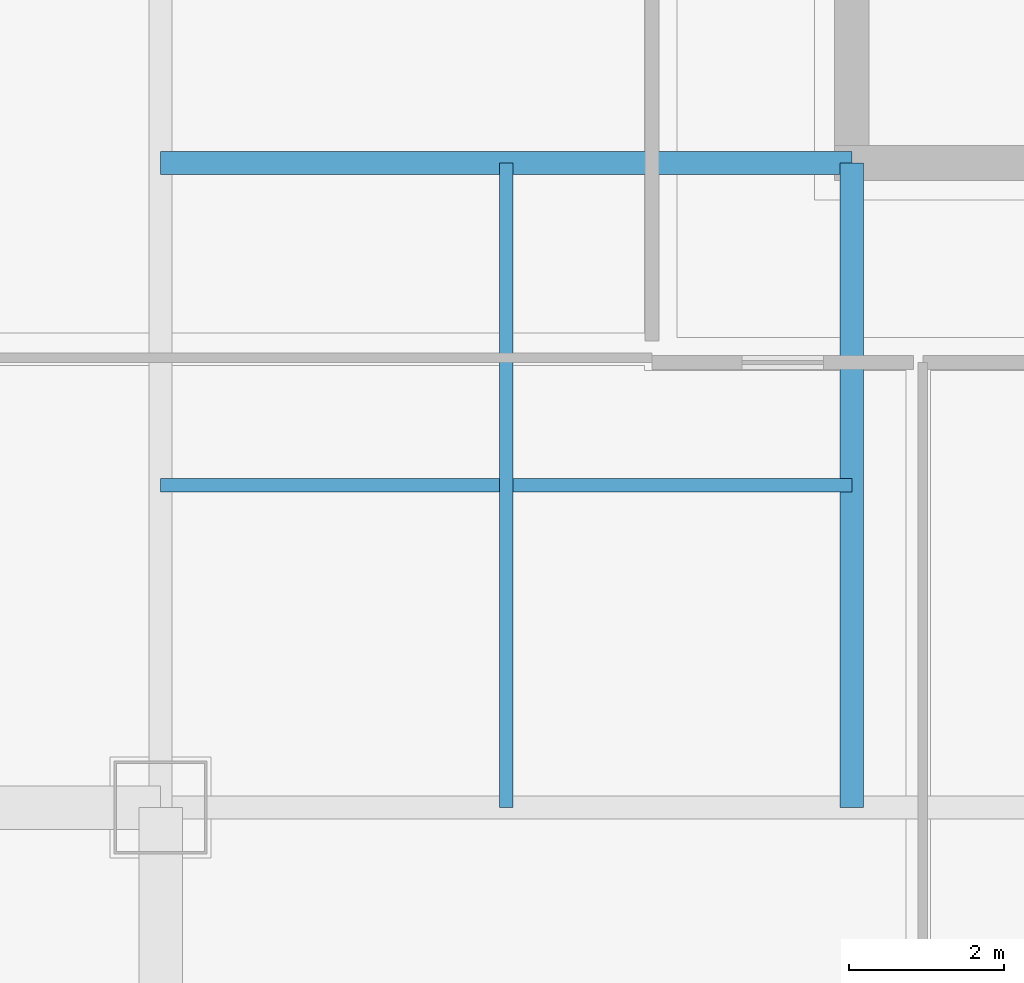
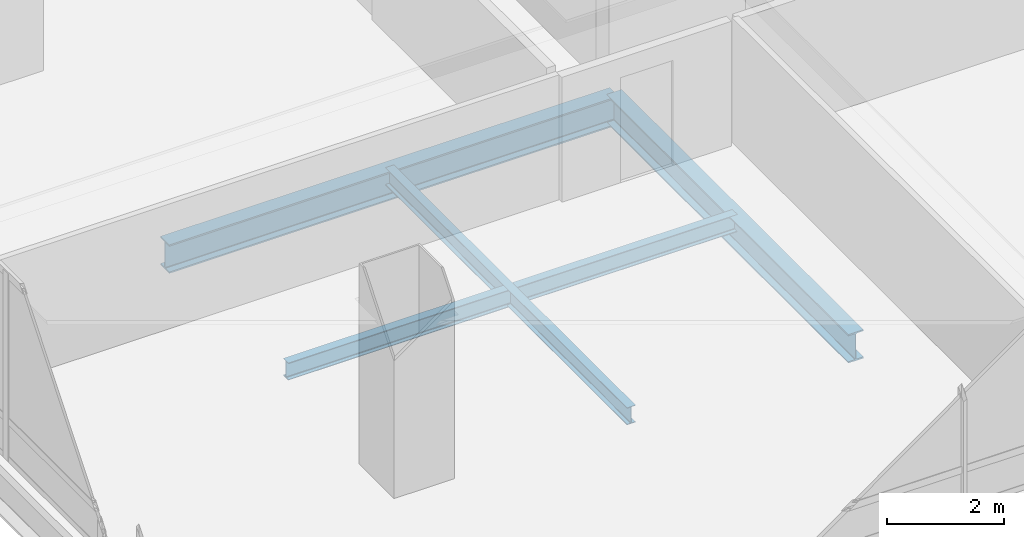
# One storey, part 7 of 46: 4 beams.
"""IFC4 building model written with IfcOpenShell, lengths in metres."""

from ifc_helpers import new_model, si_unit, direction, frame, origin, origin_2d, place, context, subcontext, project, spatial, i_section, extrude, material, material_profile, profile_set, type_object, element, save


model = new_model("IFC4")

# Units and contexts
model_context = context("Model", 3, precision=1e-05, world=origin(), true_north=direction((0.0, 1.0)))
body_context = subcontext(model_context, "Body", "Model", "MODEL_VIEW")
ifc_project = project(units=[si_unit("LENGTHUNIT", "METRE"), si_unit("AREAUNIT", "SQUARE_METRE"), si_unit("VOLUMEUNIT", "CUBIC_METRE"), si_unit("PLANEANGLEUNIT", "RADIAN"), si_unit("MASSUNIT", "GRAM", prefix="KILO")], contexts=[model_context])

# Site, building, storey
site_placement = place(None, origin())
site = spatial("IfcSite", under=ifc_project, at=site_placement, CompositionType="ELEMENT")
building_placement = place(site_placement, origin())
building = spatial("IfcBuilding", under=site, at=building_placement, Name="Punatoya Terracotta Tower", CompositionType="ELEMENT")
storey_placement = place(building_placement, frame((0.0, 0.0, 330.0)))
storey = spatial("IfcBuildingStorey", under=building, at=storey_placement, Name="L78", CompositionType="ELEMENT", Elevation=330.0)

# Beams
ifc_material = material(Name="Steel S355", Category="steel")
ifc_material_profile_1 = material_profile(ifc_material, i_section(OverallWidth=0.300048828125, OverallDepth=0.60009765625, WebThickness=0.015380859375, FlangeThickness=0.030029296875, FilletRadius=0.01806640625, at=origin_2d()))
ifc_profile_set_1 = profile_set([ifc_material_profile_1], Name="Steel S355")
beam_type_1 = type_object("IfcBeamType", Name="BM-PRI-600", PredefinedType="BEAM", material=ifc_profile_set_1)
beam_1_placement = place(storey_placement, frame((-19.10009765625, -9.199951171875, -0.5), z_axis=(1.0, 0.0, 0.0), x_axis=(0.0, 1.0, 0.0)))
element("IfcBeam", 1, at=beam_1_placement, inside=storey, type_object=beam_type_1, Name="BM-L78-PR-WS", PredefinedType="BEAM", context=body_context, shape_type="SweptSolid", body=[
    extrude(i_section(OverallWidth=0.300048828125, OverallDepth=0.60009765625, WebThickness=0.015380859375, FlangeThickness=0.030029296875, FilletRadius=0.01806640625, at=origin_2d()), origin(), (0.0, 0.0, 1.0), 8.900146484375),
])
beam_2_placement = place(storey_placement, frame((-10.199951171875, -17.5, -0.5), z_axis=(0.0, 1.0, 0.0), x_axis=(-1.0, 0.0, 0.0)))
element("IfcBeam", 2, at=beam_2_placement, inside=storey, type_object=beam_type_1, Name="BM-L78-PR-S1", PredefinedType="BEAM", context=body_context, shape_type="SweptSolid", body=[
    extrude(i_section(OverallWidth=0.300048828125, OverallDepth=0.60009765625, WebThickness=0.015380859375, FlangeThickness=0.030029296875, FilletRadius=0.01806640625, at=origin_2d()), origin(), (0.0, 0.0, 1.0), 8.300048828125),
])
ifc_material_profile_2 = material_profile(ifc_material, i_section(OverallWidth=0.169921875, OverallDepth=0.360107421875, WebThickness=0.008056640625, FlangeThickness=0.0126953125, FilletRadius=0.01806640625, at=origin_2d()))
ifc_profile_set_2 = profile_set([ifc_material_profile_2], Name="Steel S355")
beam_type_2 = type_object("IfcBeamType", Name="BM-SEC-360", PredefinedType="JOIST", material=ifc_profile_set_2)
beam_3_placement = place(storey_placement, frame((-19.10009765625, -13.35009765625, -0.3798828125), z_axis=(1.0, 0.0, 0.0), x_axis=(0.0, 1.0, 0.0)))
element("IfcBeam", 3, at=beam_3_placement, inside=storey, type_object=beam_type_2, Name="BM-L78-SJS-1", PredefinedType="JOIST", context=body_context, shape_type="SweptSolid", body=[
    extrude(i_section(OverallWidth=0.169921875, OverallDepth=0.360107421875, WebThickness=0.008056640625, FlangeThickness=0.0126953125, FilletRadius=0.01806640625, at=origin_2d()), origin(), (0.0, 0.0, 1.0), 8.900146484375),
])
beam_4_placement = place(storey_placement, frame((-14.64990234375, -17.5, -0.3798828125), z_axis=(0.0, 1.0, 0.0), x_axis=(-1.0, 0.0, 0.0)))
element("IfcBeam", 4, at=beam_4_placement, inside=storey, type_object=beam_type_2, Name="BM-L78-SJW-1", PredefinedType="JOIST", context=body_context, shape_type="SweptSolid", body=[
    extrude(i_section(OverallWidth=0.169921875, OverallDepth=0.360107421875, WebThickness=0.008056640625, FlangeThickness=0.0126953125, FilletRadius=0.01806640625, at=origin_2d()), origin(), (0.0, 0.0, 1.0), 8.300048828125),
])

save(model, "model.ifc")
